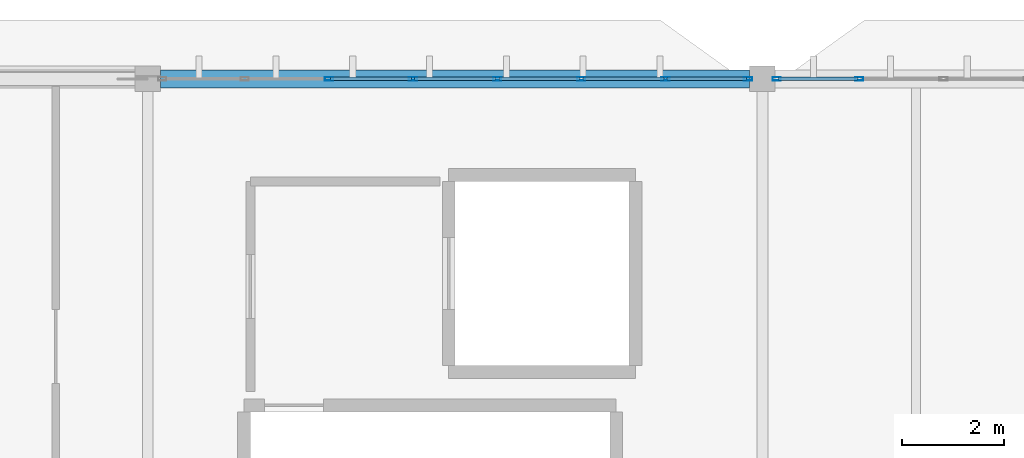
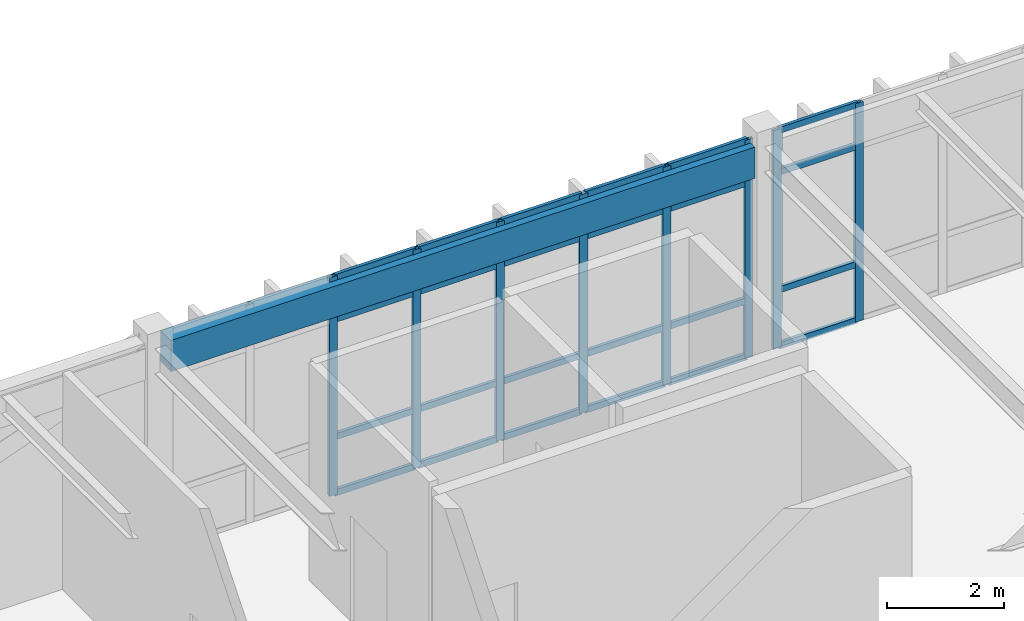
# One storey, part 111 of 236: 32 members, 1 beam, 2 elements without a shape of their own.
"""IFC4 building model written with IfcOpenShell, lengths in metres."""

from ifc_helpers import new_model, si_unit, direction, frame, origin, origin_2d, place, context, subcontext, project, spatial, rectangle, hollow_rectangle, extrude, material, layer, layer_set, material_profile, profile_set, type_object, element, aggregate, save


model = new_model("IFC4")

# Units and contexts
model_context = context("Model", 3, precision=1e-05, world=origin(), true_north=direction((0.0, 1.0)))
body_context = subcontext(model_context, "Body", "Model", "MODEL_VIEW")
ifc_project = project(units=[si_unit("LENGTHUNIT", "METRE"), si_unit("AREAUNIT", "SQUARE_METRE"), si_unit("VOLUMEUNIT", "CUBIC_METRE"), si_unit("PLANEANGLEUNIT", "RADIAN"), si_unit("MASSUNIT", "GRAM", prefix="KILO")], contexts=[model_context])

# Site, building, storey
site_placement = place(None, origin())
site = spatial("IfcSite", under=ifc_project, at=site_placement, CompositionType="ELEMENT")
building_placement = place(site_placement, origin())
building = spatial("IfcBuilding", under=site, at=building_placement, Name="Pandanus Reach Market Hall", CompositionType="ELEMENT")
storey_placement = place(building_placement, frame((0.0, 0.0, 5.39990234375)))
storey = spatial("IfcBuildingStorey", under=building, at=storey_placement, Name="L01", CompositionType="ELEMENT", Elevation=5.39990234375)

# Beam
ifc_material_1 = material(Name="Concrete N40 (40 MPa)", Category="concrete")
ifc_material_profile_1 = material_profile(ifc_material_1, rectangle(XDim=0.35009765625, YDim=0.64990234375, at=origin_2d()), Name="RC350x650", Category="LoadBearing")
ifc_profile_set_1 = profile_set([ifc_material_profile_1], Name="Concrete N40 (40 MPa)")
beam_type = type_object("IfcBeamType", Name="BM-RC350-E", PredefinedType="SPANDREL", material=ifc_profile_set_1)
beam_placement = place(storey_placement, frame((108.248046875, 120.0, 4.135009765625), z_axis=(1.0, 0.0, 0.0), x_axis=(0.0, 1.0, 0.0)))
element("IfcBeam", 1, at=beam_placement, inside=storey, type_object=beam_type, Name="Framing beam BM-RC350-E L01.866", PredefinedType="SPANDREL", context=body_context, shape_type="SweptSolid", body=[
    extrude(rectangle(XDim=0.35009765625, YDim=0.64990234375, at=origin_2d()), origin(), (0.0, 0.0, 1.0), 11.50390625),
])

# Curtain wall, members
ifc_material_2 = material(Name="Bronze anodised aluminium and low-E glass", Category="aluminium")
ifc_layer = layer(ifc_material_2, 0.159912109375, Name="CW-39")
ifc_layer_set = layer_set([ifc_layer], Name="Bronze anodised aluminium and low-E glass")
curtain_wall_type = type_object("IfcCurtainWallType", Name="CW-39", PredefinedType="NOTDEFINED", material=ifc_layer_set)
curtain_wall_1_placement = place(storey_placement, origin())
curtain_wall_1 = element("IfcCurtainWall", 2, at=curtain_wall_1_placement, inside=storey, type_object=curtain_wall_type, Name="Glazed curtain wall CW-39 CW-0142", PredefinedType="NOTDEFINED")
ifc_material_3 = material(Name="Bronze anodised aluminium", Category="aluminium")
ifc_material_profile_2 = material_profile(ifc_material_3, hollow_rectangle(XDim=0.06494140625, YDim=0.159912109375, WallThickness=0.00390625, at=origin_2d()), Name="ALU65x160", Category="LoadBearing")
ifc_profile_set_2 = profile_set([ifc_material_profile_2], Name="Bronze anodised aluminium")
member_type_1 = type_object("IfcMemberType", Name="CW-M1", PredefinedType="MULLION", material=ifc_profile_set_2)
member_1_placement = place(storey_placement, frame((111.53564453125, 120.0, 0.0), z_axis=(0.0, 0.0, 1.0), x_axis=(0.0, 1.0, 0.0)))
member_1 = element("IfcMember", 3, at=member_1_placement, type_object=member_type_1, Name="CW-39 mullion 3", PredefinedType="MULLION", context=body_context, shape_type="SweptSolid", body=[
    extrude(hollow_rectangle(XDim=0.06494140625, YDim=0.159912109375, WallThickness=0.00390625, at=origin_2d()), origin(), (0.0, 0.0, 1.0), 4.550048828125),
])
member_2_placement = place(storey_placement, frame((113.178466796875, 120.0, 0.0), z_axis=(0.0, 0.0, 1.0), x_axis=(0.0, 1.0, 0.0)))
member_2 = element("IfcMember", 4, at=member_2_placement, type_object=member_type_1, Name="CW-39 mullion 4", PredefinedType="MULLION", context=body_context, shape_type="SweptSolid", body=[
    extrude(hollow_rectangle(XDim=0.06494140625, YDim=0.159912109375, WallThickness=0.00390625, at=origin_2d()), origin(), (0.0, 0.0, 1.0), 4.550048828125),
])
member_3_placement = place(storey_placement, frame((114.821533203125, 120.0, 0.0), z_axis=(0.0, 0.0, 1.0), x_axis=(0.0, 1.0, 0.0)))
member_3 = element("IfcMember", 5, at=member_3_placement, type_object=member_type_1, Name="CW-39 mullion 5", PredefinedType="MULLION", context=body_context, shape_type="SweptSolid", body=[
    extrude(hollow_rectangle(XDim=0.06494140625, YDim=0.159912109375, WallThickness=0.00390625, at=origin_2d()), origin(), (0.0, 0.0, 1.0), 4.550048828125),
])
member_4_placement = place(storey_placement, frame((116.46435546875, 120.0, 0.0), z_axis=(0.0, 0.0, 1.0), x_axis=(0.0, 1.0, 0.0)))
member_4 = element("IfcMember", 6, at=member_4_placement, type_object=member_type_1, Name="CW-39 mullion 6", PredefinedType="MULLION", context=body_context, shape_type="SweptSolid", body=[
    extrude(hollow_rectangle(XDim=0.06494140625, YDim=0.159912109375, WallThickness=0.00390625, at=origin_2d()), origin(), (0.0, 0.0, 1.0), 4.550048828125),
])
member_5_placement = place(storey_placement, frame((118.107177734375, 120.0, 0.0), z_axis=(0.0, 0.0, 1.0), x_axis=(0.0, 1.0, 0.0)))
member_5 = element("IfcMember", 7, at=member_5_placement, type_object=member_type_1, Name="CW-39 mullion 7", PredefinedType="MULLION", context=body_context, shape_type="SweptSolid", body=[
    extrude(hollow_rectangle(XDim=0.06494140625, YDim=0.159912109375, WallThickness=0.00390625, at=origin_2d()), origin(), (0.0, 0.0, 1.0), 4.550048828125),
])
member_6_placement = place(storey_placement, frame((119.717529296875, 120.0, 0.0), z_axis=(0.0, 0.0, 1.0), x_axis=(0.0, 1.0, 0.0)))
member_6 = element("IfcMember", 8, at=member_6_placement, type_object=member_type_1, Name="CW-39 mullion 8", PredefinedType="MULLION", context=body_context, shape_type="SweptSolid", body=[
    extrude(hollow_rectangle(XDim=0.06494140625, YDim=0.159912109375, WallThickness=0.00390625, at=origin_2d()), origin(), (0.0, 0.0, 1.0), 4.550048828125),
])

curtain_wall_2_placement = place(storey_placement, origin())
curtain_wall_2 = element("IfcCurtainWall", 9, at=curtain_wall_2_placement, inside=storey, type_object=curtain_wall_type, Name="Glazed curtain wall CW-39 CW-0144", PredefinedType="NOTDEFINED")
member_7_placement = place(storey_placement, frame((120.282470703125, 120.0, 0.0), z_axis=(0.0, 0.0, 1.0), x_axis=(0.0, 1.0, 0.0)))
member_7 = element("IfcMember", 10, at=member_7_placement, type_object=member_type_1, Name="CW-39 mullion 1", PredefinedType="MULLION", context=body_context, shape_type="SweptSolid", body=[
    extrude(hollow_rectangle(XDim=0.06494140625, YDim=0.159912109375, WallThickness=0.00390625, at=origin_2d()), origin(), (0.0, 0.0, 1.0), 4.550048828125),
])
member_8_placement = place(storey_placement, frame((121.892822265625, 120.0, 0.0), z_axis=(0.0, 0.0, 1.0), x_axis=(0.0, 1.0, 0.0)))
member_8 = element("IfcMember", 11, at=member_8_placement, type_object=member_type_1, Name="CW-39 mullion 2", PredefinedType="MULLION", context=body_context, shape_type="SweptSolid", body=[
    extrude(hollow_rectangle(XDim=0.06494140625, YDim=0.159912109375, WallThickness=0.00390625, at=origin_2d()), origin(), (0.0, 0.0, 1.0), 4.550048828125),
])

# Member
ifc_material_profile_3 = material_profile(ifc_material_3, hollow_rectangle(XDim=0.06494140625, YDim=0.1298828125, WallThickness=0.00390625, at=origin_2d()), Name="ALU65x130", Category="LoadBearing")
ifc_profile_set_3 = profile_set([ifc_material_profile_3], Name="Bronze anodised aluminium")
member_type_2 = type_object("IfcMemberType", Name="CW-T1", PredefinedType="USERDEFINED", material=ifc_profile_set_3)
member_9_placement = place(storey_placement, frame((111.568115234375, 120.0, 0.03271484375), z_axis=(1.0, 0.0, 0.0), x_axis=(0.0, 1.0, 0.0)))
member_9 = element("IfcMember", 12, at=member_9_placement, type_object=member_type_2, Name="CW-39 transom 3.1", ObjectType="TRANSOM", PredefinedType="USERDEFINED", context=body_context, shape_type="SweptSolid", body=[
    extrude(hollow_rectangle(XDim=0.06494140625, YDim=0.1298828125, WallThickness=0.00390625, at=origin_2d()), origin(), (0.0, 0.0, 1.0), 1.577880859375),
])

member_10_placement = place(storey_placement, frame((111.568115234375, 120.0, 1.2001953125), z_axis=(1.0, 0.0, 0.0), x_axis=(0.0, 1.0, 0.0)))
member_10 = element("IfcMember", 13, at=member_10_placement, type_object=member_type_2, Name="CW-39 transom 3.2", ObjectType="TRANSOM", PredefinedType="USERDEFINED", context=body_context, shape_type="SweptSolid", body=[
    extrude(hollow_rectangle(XDim=0.06494140625, YDim=0.1298828125, WallThickness=0.00390625, at=origin_2d()), origin(), (0.0, 0.0, 1.0), 1.577880859375),
])

member_11_placement = place(storey_placement, frame((111.568115234375, 120.0, 3.650146484375), z_axis=(1.0, 0.0, 0.0), x_axis=(0.0, 1.0, 0.0)))
member_11 = element("IfcMember", 14, at=member_11_placement, type_object=member_type_2, Name="CW-39 transom 3.3", ObjectType="TRANSOM", PredefinedType="USERDEFINED", context=body_context, shape_type="SweptSolid", body=[
    extrude(hollow_rectangle(XDim=0.06494140625, YDim=0.1298828125, WallThickness=0.00390625, at=origin_2d()), origin(), (0.0, 0.0, 1.0), 1.577880859375),
])

member_12_placement = place(storey_placement, frame((111.568115234375, 120.0, 4.517578125), z_axis=(1.0, 0.0, 0.0), x_axis=(0.0, 1.0, 0.0)))
member_12 = element("IfcMember", 15, at=member_12_placement, type_object=member_type_2, Name="CW-39 transom 3.4", ObjectType="TRANSOM", PredefinedType="USERDEFINED", context=body_context, shape_type="SweptSolid", body=[
    extrude(hollow_rectangle(XDim=0.06494140625, YDim=0.1298828125, WallThickness=0.00390625, at=origin_2d()), origin(), (0.0, 0.0, 1.0), 1.577880859375),
])

member_13_placement = place(storey_placement, frame((113.211181640625, 120.0, 0.03271484375), z_axis=(1.0, 0.0, 0.0), x_axis=(0.0, 1.0, 0.0)))
member_13 = element("IfcMember", 16, at=member_13_placement, type_object=member_type_2, Name="CW-39 transom 4.1", ObjectType="TRANSOM", PredefinedType="USERDEFINED", context=body_context, shape_type="SweptSolid", body=[
    extrude(hollow_rectangle(XDim=0.06494140625, YDim=0.1298828125, WallThickness=0.00390625, at=origin_2d()), origin(), (0.0, 0.0, 1.0), 1.57763671875),
])

member_14_placement = place(storey_placement, frame((113.211181640625, 120.0, 1.2001953125), z_axis=(1.0, 0.0, 0.0), x_axis=(0.0, 1.0, 0.0)))
member_14 = element("IfcMember", 17, at=member_14_placement, type_object=member_type_2, Name="CW-39 transom 4.2", ObjectType="TRANSOM", PredefinedType="USERDEFINED", context=body_context, shape_type="SweptSolid", body=[
    extrude(hollow_rectangle(XDim=0.06494140625, YDim=0.1298828125, WallThickness=0.00390625, at=origin_2d()), origin(), (0.0, 0.0, 1.0), 1.57763671875),
])

member_15_placement = place(storey_placement, frame((113.211181640625, 120.0, 3.650146484375), z_axis=(1.0, 0.0, 0.0), x_axis=(0.0, 1.0, 0.0)))
member_15 = element("IfcMember", 18, at=member_15_placement, type_object=member_type_2, Name="CW-39 transom 4.3", ObjectType="TRANSOM", PredefinedType="USERDEFINED", context=body_context, shape_type="SweptSolid", body=[
    extrude(hollow_rectangle(XDim=0.06494140625, YDim=0.1298828125, WallThickness=0.00390625, at=origin_2d()), origin(), (0.0, 0.0, 1.0), 1.57763671875),
])

member_16_placement = place(storey_placement, frame((113.211181640625, 120.0, 4.517578125), z_axis=(1.0, 0.0, 0.0), x_axis=(0.0, 1.0, 0.0)))
member_16 = element("IfcMember", 19, at=member_16_placement, type_object=member_type_2, Name="CW-39 transom 4.4", ObjectType="TRANSOM", PredefinedType="USERDEFINED", context=body_context, shape_type="SweptSolid", body=[
    extrude(hollow_rectangle(XDim=0.06494140625, YDim=0.1298828125, WallThickness=0.00390625, at=origin_2d()), origin(), (0.0, 0.0, 1.0), 1.57763671875),
])

member_17_placement = place(storey_placement, frame((114.85400390625, 120.0, 0.03271484375), z_axis=(1.0, 0.0, 0.0), x_axis=(0.0, 1.0, 0.0)))
member_17 = element("IfcMember", 20, at=member_17_placement, type_object=member_type_2, Name="CW-39 transom 5.1", ObjectType="TRANSOM", PredefinedType="USERDEFINED", context=body_context, shape_type="SweptSolid", body=[
    extrude(hollow_rectangle(XDim=0.06494140625, YDim=0.1298828125, WallThickness=0.00390625, at=origin_2d()), origin(), (0.0, 0.0, 1.0), 1.577880859375),
])

member_18_placement = place(storey_placement, frame((114.85400390625, 120.0, 1.2001953125), z_axis=(1.0, 0.0, 0.0), x_axis=(0.0, 1.0, 0.0)))
member_18 = element("IfcMember", 21, at=member_18_placement, type_object=member_type_2, Name="CW-39 transom 5.2", ObjectType="TRANSOM", PredefinedType="USERDEFINED", context=body_context, shape_type="SweptSolid", body=[
    extrude(hollow_rectangle(XDim=0.06494140625, YDim=0.1298828125, WallThickness=0.00390625, at=origin_2d()), origin(), (0.0, 0.0, 1.0), 1.577880859375),
])

member_19_placement = place(storey_placement, frame((114.85400390625, 120.0, 3.650146484375), z_axis=(1.0, 0.0, 0.0), x_axis=(0.0, 1.0, 0.0)))
member_19 = element("IfcMember", 22, at=member_19_placement, type_object=member_type_2, Name="CW-39 transom 5.3", ObjectType="TRANSOM", PredefinedType="USERDEFINED", context=body_context, shape_type="SweptSolid", body=[
    extrude(hollow_rectangle(XDim=0.06494140625, YDim=0.1298828125, WallThickness=0.00390625, at=origin_2d()), origin(), (0.0, 0.0, 1.0), 1.577880859375),
])

member_20_placement = place(storey_placement, frame((114.85400390625, 120.0, 4.517578125), z_axis=(1.0, 0.0, 0.0), x_axis=(0.0, 1.0, 0.0)))
member_20 = element("IfcMember", 23, at=member_20_placement, type_object=member_type_2, Name="CW-39 transom 5.4", ObjectType="TRANSOM", PredefinedType="USERDEFINED", context=body_context, shape_type="SweptSolid", body=[
    extrude(hollow_rectangle(XDim=0.06494140625, YDim=0.1298828125, WallThickness=0.00390625, at=origin_2d()), origin(), (0.0, 0.0, 1.0), 1.577880859375),
])

member_21_placement = place(storey_placement, frame((116.496826171875, 120.0, 0.03271484375), z_axis=(1.0, 0.0, 0.0), x_axis=(0.0, 1.0, 0.0)))
member_21 = element("IfcMember", 24, at=member_21_placement, type_object=member_type_2, Name="CW-39 transom 6.1", ObjectType="TRANSOM", PredefinedType="USERDEFINED", context=body_context, shape_type="SweptSolid", body=[
    extrude(hollow_rectangle(XDim=0.06494140625, YDim=0.1298828125, WallThickness=0.00390625, at=origin_2d()), origin(), (0.0, 0.0, 1.0), 1.577880859375),
])

member_22_placement = place(storey_placement, frame((116.496826171875, 120.0, 1.2001953125), z_axis=(1.0, 0.0, 0.0), x_axis=(0.0, 1.0, 0.0)))
member_22 = element("IfcMember", 25, at=member_22_placement, type_object=member_type_2, Name="CW-39 transom 6.2", ObjectType="TRANSOM", PredefinedType="USERDEFINED", context=body_context, shape_type="SweptSolid", body=[
    extrude(hollow_rectangle(XDim=0.06494140625, YDim=0.1298828125, WallThickness=0.00390625, at=origin_2d()), origin(), (0.0, 0.0, 1.0), 1.577880859375),
])

member_23_placement = place(storey_placement, frame((116.496826171875, 120.0, 3.650146484375), z_axis=(1.0, 0.0, 0.0), x_axis=(0.0, 1.0, 0.0)))
member_23 = element("IfcMember", 26, at=member_23_placement, type_object=member_type_2, Name="CW-39 transom 6.3", ObjectType="TRANSOM", PredefinedType="USERDEFINED", context=body_context, shape_type="SweptSolid", body=[
    extrude(hollow_rectangle(XDim=0.06494140625, YDim=0.1298828125, WallThickness=0.00390625, at=origin_2d()), origin(), (0.0, 0.0, 1.0), 1.577880859375),
])

member_24_placement = place(storey_placement, frame((116.496826171875, 120.0, 4.517578125), z_axis=(1.0, 0.0, 0.0), x_axis=(0.0, 1.0, 0.0)))
member_24 = element("IfcMember", 27, at=member_24_placement, type_object=member_type_2, Name="CW-39 transom 6.4", ObjectType="TRANSOM", PredefinedType="USERDEFINED", context=body_context, shape_type="SweptSolid", body=[
    extrude(hollow_rectangle(XDim=0.06494140625, YDim=0.1298828125, WallThickness=0.00390625, at=origin_2d()), origin(), (0.0, 0.0, 1.0), 1.577880859375),
])

member_25_placement = place(storey_placement, frame((118.1396484375, 120.0, 0.03271484375), z_axis=(1.0, 0.0, 0.0), x_axis=(0.0, 1.0, 0.0)))
member_25 = element("IfcMember", 28, at=member_25_placement, type_object=member_type_2, Name="CW-39 transom 7.1", ObjectType="TRANSOM", PredefinedType="USERDEFINED", context=body_context, shape_type="SweptSolid", body=[
    extrude(hollow_rectangle(XDim=0.06494140625, YDim=0.1298828125, WallThickness=0.00390625, at=origin_2d()), origin(), (0.0, 0.0, 1.0), 1.54541015625),
])

member_26_placement = place(storey_placement, frame((118.1396484375, 120.0, 1.2001953125), z_axis=(1.0, 0.0, 0.0), x_axis=(0.0, 1.0, 0.0)))
member_26 = element("IfcMember", 29, at=member_26_placement, type_object=member_type_2, Name="CW-39 transom 7.2", ObjectType="TRANSOM", PredefinedType="USERDEFINED", context=body_context, shape_type="SweptSolid", body=[
    extrude(hollow_rectangle(XDim=0.06494140625, YDim=0.1298828125, WallThickness=0.00390625, at=origin_2d()), origin(), (0.0, 0.0, 1.0), 1.54541015625),
])

member_27_placement = place(storey_placement, frame((118.1396484375, 120.0, 3.650146484375), z_axis=(1.0, 0.0, 0.0), x_axis=(0.0, 1.0, 0.0)))
member_27 = element("IfcMember", 30, at=member_27_placement, type_object=member_type_2, Name="CW-39 transom 7.3", ObjectType="TRANSOM", PredefinedType="USERDEFINED", context=body_context, shape_type="SweptSolid", body=[
    extrude(hollow_rectangle(XDim=0.06494140625, YDim=0.1298828125, WallThickness=0.00390625, at=origin_2d()), origin(), (0.0, 0.0, 1.0), 1.54541015625),
])

member_28_placement = place(storey_placement, frame((118.1396484375, 120.0, 4.517578125), z_axis=(1.0, 0.0, 0.0), x_axis=(0.0, 1.0, 0.0)))
member_28 = element("IfcMember", 31, at=member_28_placement, type_object=member_type_2, Name="CW-39 transom 7.4", ObjectType="TRANSOM", PredefinedType="USERDEFINED", context=body_context, shape_type="SweptSolid", body=[
    extrude(hollow_rectangle(XDim=0.06494140625, YDim=0.1298828125, WallThickness=0.00390625, at=origin_2d()), origin(), (0.0, 0.0, 1.0), 1.54541015625),
])

aggregate(curtain_wall_1, [member_1, member_2, member_3, member_4, member_5, member_6, member_9, member_10, member_11, member_12, member_13, member_14, member_15, member_16, member_17, member_18, member_19, member_20, member_21, member_22, member_23, member_24, member_25, member_26, member_27, member_28])

member_29_placement = place(storey_placement, frame((120.31494140625, 120.0, 0.03271484375), z_axis=(1.0, 0.0, 0.0), x_axis=(0.0, 1.0, 0.0)))
member_29 = element("IfcMember", 32, at=member_29_placement, type_object=member_type_2, Name="CW-39 transom 1.1", ObjectType="TRANSOM", PredefinedType="USERDEFINED", context=body_context, shape_type="SweptSolid", body=[
    extrude(hollow_rectangle(XDim=0.06494140625, YDim=0.1298828125, WallThickness=0.00390625, at=origin_2d()), origin(), (0.0, 0.0, 1.0), 1.54541015625),
])

member_30_placement = place(storey_placement, frame((120.31494140625, 120.0, 1.2001953125), z_axis=(1.0, 0.0, 0.0), x_axis=(0.0, 1.0, 0.0)))
member_30 = element("IfcMember", 33, at=member_30_placement, type_object=member_type_2, Name="CW-39 transom 1.2", ObjectType="TRANSOM", PredefinedType="USERDEFINED", context=body_context, shape_type="SweptSolid", body=[
    extrude(hollow_rectangle(XDim=0.06494140625, YDim=0.1298828125, WallThickness=0.00390625, at=origin_2d()), origin(), (0.0, 0.0, 1.0), 1.54541015625),
])

member_31_placement = place(storey_placement, frame((120.31494140625, 120.0, 3.650146484375), z_axis=(1.0, 0.0, 0.0), x_axis=(0.0, 1.0, 0.0)))
member_31 = element("IfcMember", 34, at=member_31_placement, type_object=member_type_2, Name="CW-39 transom 1.3", ObjectType="TRANSOM", PredefinedType="USERDEFINED", context=body_context, shape_type="SweptSolid", body=[
    extrude(hollow_rectangle(XDim=0.06494140625, YDim=0.1298828125, WallThickness=0.00390625, at=origin_2d()), origin(), (0.0, 0.0, 1.0), 1.54541015625),
])

member_32_placement = place(storey_placement, frame((120.31494140625, 120.0, 4.517578125), z_axis=(1.0, 0.0, 0.0), x_axis=(0.0, 1.0, 0.0)))
member_32 = element("IfcMember", 35, at=member_32_placement, type_object=member_type_2, Name="CW-39 transom 1.4", ObjectType="TRANSOM", PredefinedType="USERDEFINED", context=body_context, shape_type="SweptSolid", body=[
    extrude(hollow_rectangle(XDim=0.06494140625, YDim=0.1298828125, WallThickness=0.00390625, at=origin_2d()), origin(), (0.0, 0.0, 1.0), 1.54541015625),
])

aggregate(curtain_wall_2, [member_7, member_8, member_29, member_30, member_31, member_32])

save(model, "model.ifc")
